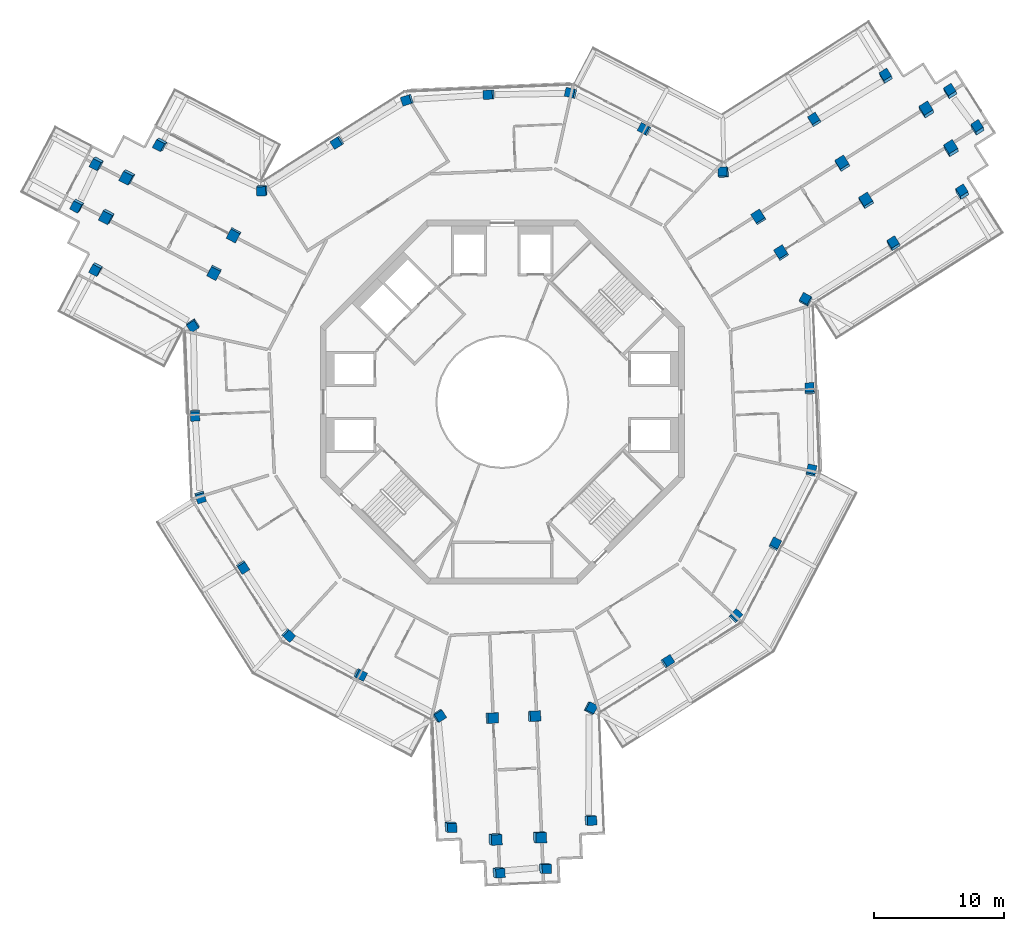
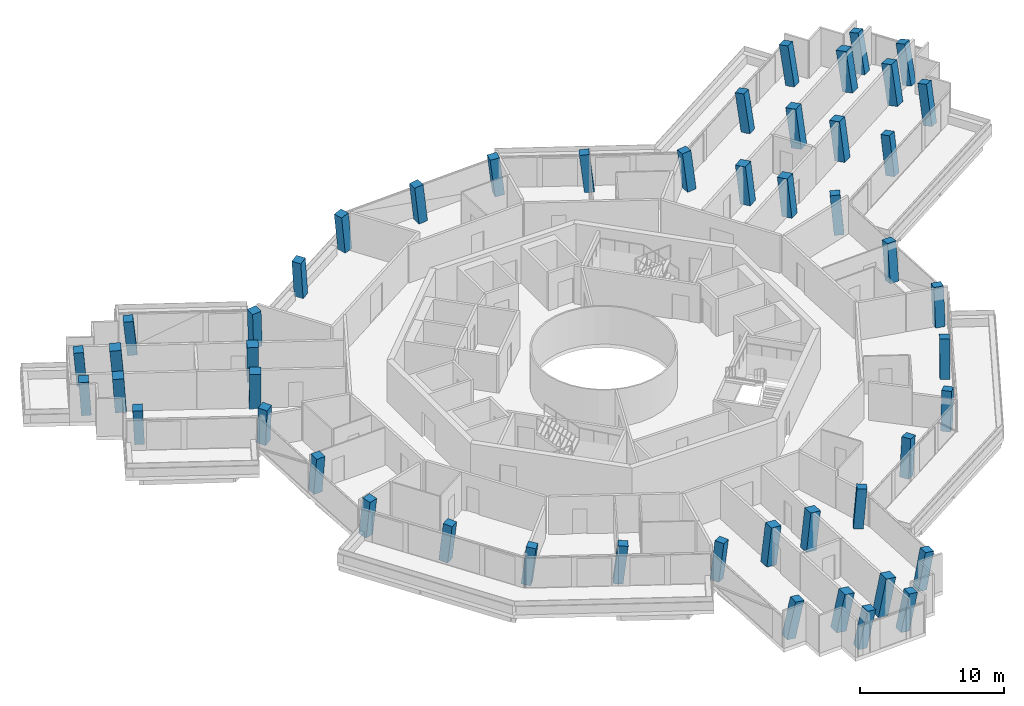
# One storey, part 1 of 23: 49 columns.
"""IFC4 building model written with IfcOpenShell, lengths in metres."""

from ifc_helpers import new_model, si_unit, direction, frame, origin, origin_2d, place, context, subcontext, project, spatial, rectangle, extrude, material, material_profile, profile_set, type_object, element, save


model = new_model("IFC4")

# Units and contexts
model_context = context("Model", 3, precision=1e-05, world=origin(), true_north=direction((0.0, 1.0)))
body_context = subcontext(model_context, "Body", "Model", "MODEL_VIEW")
ifc_project = project(units=[si_unit("LENGTHUNIT", "METRE"), si_unit("AREAUNIT", "SQUARE_METRE"), si_unit("VOLUMEUNIT", "CUBIC_METRE"), si_unit("PLANEANGLEUNIT", "RADIAN"), si_unit("MASSUNIT", "GRAM", prefix="KILO")], contexts=[model_context])

# Site, building, storey
site_placement = place(None, origin())
site = spatial("IfcSite", under=ifc_project, at=site_placement, CompositionType="ELEMENT")
building_placement = place(site_placement, origin())
building = spatial("IfcBuilding", under=site, at=building_placement, Name="Verdalira Terraces Hotel", CompositionType="ELEMENT")
storey_placement = place(building_placement, frame((0.0, 0.0, 288.0)))
storey = spatial("IfcBuildingStorey", under=building, at=storey_placement, Name="L71", CompositionType="ELEMENT", Elevation=288.0)

# Columns
ifc_material_1 = material(Name="Concrete C50", Category="concrete")
ifc_material_profile_1 = material_profile(ifc_material_1, rectangle(XDim=0.699951, YDim=0.699951, at=origin_2d()), Name="RC 700X700")
ifc_profile_set_1 = profile_set([ifc_material_profile_1], Name="Concrete C50")
column_type_1 = type_object("IfcColumnType", Name="Column RC 700X700 C50", PredefinedType="COLUMN", material=ifc_profile_set_1)
column_1_placement = place(storey_placement, frame((-26.260498, 19.833252, 0.0), z_axis=(-0.156321308, -0.092272472, 0.983386719), x_axis=(-0.875377017, 0.474081231, -0.094668183)))
element("IfcColumn", 1, at=column_1_placement, inside=storey, type_object=column_type_1, Name="Column C01", PredefinedType="COLUMN", context=body_context, shape_type="SweptSolid", body=[
    extrude(rectangle(XDim=0.699951, YDim=0.699951, at=origin_2d()), origin(), (0.0, 0.0, 1.0), 3.243896),
])
column_2_placement = place(storey_placement, frame((-31.219238, 10.261475, 0.0), z_axis=(-0.111572362, -0.115651515, 0.987003716), x_axis=(0.882019681, -0.469083783, 0.044740226)))
element("IfcColumn", 2, at=column_2_placement, inside=storey, type_object=column_type_1, Name="Column C02", PredefinedType="COLUMN", context=body_context, shape_type="SweptSolid", body=[
    extrude(rectangle(XDim=0.699951, YDim=0.699951, at=origin_2d()), origin(), (0.0, 0.0, 1.0), 3.231934),
])
column_3_placement = place(storey_placement, frame((-23.787842, 5.936279, 0.0), z_axis=(-0.027288562, -0.113334945, 0.99318202), x_axis=(-0.539731703, 0.837951325, 0.0807915)))
element("IfcColumn", 3, at=column_3_placement, inside=storey, type_object=column_type_1, Name="Column C03", PredefinedType="COLUMN", context=body_context, shape_type="SweptSolid", body=[
    extrude(rectangle(XDim=0.699951, YDim=0.699951, at=origin_2d()), origin(), (0.0, 0.0, 1.0), 3.211914),
])
column_4_placement = place(storey_placement, frame((-23.637695, -0.990723, 0.0), z_axis=(0.005703621, -0.112399349, 0.993646746), x_axis=(0.041934524, -0.992761931, -0.112539968)))
element("IfcColumn", 4, at=column_4_placement, inside=storey, type_object=column_type_1, Name="Column C04", PredefinedType="COLUMN", context=body_context, shape_type="SweptSolid", body=[
    extrude(rectangle(XDim=0.699951, YDim=0.699951, at=origin_2d()), origin(), (0.0, 0.0, 1.0), 3.210449),
])
column_5_placement = place(storey_placement, frame((-23.233887, -7.281006, 0.0), z_axis=(0.035577075, -0.110228117, 0.993269366), x_axis=(-0.297052323, 0.947810585, 0.115823193)))
element("IfcColumn", 5, at=column_5_placement, inside=storey, type_object=column_type_1, Name="Column C05", PredefinedType="COLUMN", context=body_context, shape_type="SweptSolid", body=[
    extrude(rectangle(XDim=0.699951, YDim=0.699951, at=origin_2d()), origin(), (0.0, 0.0, 1.0), 3.21167),
])
column_6_placement = place(storey_placement, frame((-19.975342, -12.676758, 0.0), z_axis=(0.061066808, -0.094528073, 0.993647467), x_axis=(0.532086167, -0.839178467, -0.112533601)))
element("IfcColumn", 6, at=column_6_placement, inside=storey, type_object=column_type_1, Name="Column C06", PredefinedType="COLUMN", context=body_context, shape_type="SweptSolid", body=[
    extrude(rectangle(XDim=0.699951, YDim=0.699951, at=origin_2d()), origin(), (0.0, 0.0, 1.0), 3.210449),
])
column_7_placement = place(storey_placement, frame((-16.480713, -17.922607, 0.0), z_axis=(0.085902454, -0.077616288, 0.993275632), x_axis=(-0.731317306, 0.672140187, 0.115769454)))
element("IfcColumn", 7, at=column_7_placement, inside=storey, type_object=column_type_1, Name="Column C07", PredefinedType="COLUMN", context=body_context, shape_type="SweptSolid", body=[
    extrude(rectangle(XDim=0.699951, YDim=0.699951, at=origin_2d()), origin(), (0.0, 0.0, 1.0), 3.211426),
])
column_8_placement = place(storey_placement, frame((-10.960693, -20.966064, 0.0), z_axis=(0.100155575, -0.051332584, 0.993646731), x_axis=(0.880391875, -0.460700416, -0.112540095)))
element("IfcColumn", 8, at=column_8_placement, inside=storey, type_object=column_type_1, Name="Column C08", PredefinedType="COLUMN", context=body_context, shape_type="SweptSolid", body=[
    extrude(rectangle(XDim=0.699951, YDim=0.699951, at=origin_2d()), origin(), (0.0, 0.0, 1.0), 3.210449),
])
column_9_placement = place(storey_placement, frame((-4.893555, -24.137939, 0.0), z_axis=(0.114924367, -0.022346405, 0.993122867), x_axis=(-0.527951696, 0.845486805, 0.080119094)))
element("IfcColumn", 9, at=column_9_placement, inside=storey, type_object=column_type_1, Name="Column C09", PredefinedType="COLUMN", context=body_context, shape_type="SweptSolid", body=[
    extrude(rectangle(XDim=0.699951, YDim=0.699951, at=origin_2d()), origin(), (0.0, 0.0, 1.0), 3.211914),
])
column_10_placement = place(storey_placement, frame((-4.045898, -32.658691, 0.0), z_axis=(0.158051479, -0.089336717, 0.983381249), x_axis=(0.026614987, -0.995151572, -0.094683636)))
element("IfcColumn", 10, at=column_10_placement, inside=storey, type_object=column_type_1, Name="Column C10", PredefinedType="COLUMN", context=body_context, shape_type="SweptSolid", body=[
    extrude(rectangle(XDim=0.699951, YDim=0.699951, at=origin_2d()), origin(), (0.0, 0.0, 1.0), 3.243896),
])
column_11_placement = place(storey_placement, frame((-0.355713, -36.167236, 0.0), z_axis=(0.174229779, -0.071706303, 0.982090724), x_axis=(0.983819795, 0.054956272, -0.170523955)))
element("IfcColumn", 11, at=column_11_placement, inside=storey, type_object=column_type_1, Name="Column C11", PredefinedType="COLUMN", context=body_context, shape_type="SweptSolid", body=[
    extrude(rectangle(XDim=0.699951, YDim=0.699951, at=origin_2d()), origin(), (0.0, 0.0, 1.0), 3.248047),
])
column_12_placement = place(storey_placement, frame((3.214355, -35.857422, 0.0), z_axis=(0.172882325, -0.055018276, 0.983404642), x_axis=(0.984056126, 0.051996939, -0.170087797)))
element("IfcColumn", 12, at=column_12_placement, inside=storey, type_object=column_type_1, Name="Column C12", PredefinedType="COLUMN", context=body_context, shape_type="SweptSolid", body=[
    extrude(rectangle(XDim=0.699951, YDim=0.699951, at=origin_2d()), origin(), (0.0, 0.0, 1.0), 3.243652),
])
column_13_placement = place(storey_placement, frame((6.7229, -32.16748, 0.0), z_axis=(0.155915246, -0.03875219, 0.987009982), x_axis=(-0.035011657, 0.998385424, 0.04472951)))
element("IfcColumn", 13, at=column_13_placement, inside=storey, type_object=column_type_1, Name="Column C13", PredefinedType="COLUMN", context=body_context, shape_type="SweptSolid", body=[
    extrude(rectangle(XDim=0.699951, YDim=0.699951, at=origin_2d()), origin(), (0.0, 0.0, 1.0), 3.231934),
])
column_14_placement = place(storey_placement, frame((6.75293, -23.569092, 0.0), z_axis=(0.111739271, 0.033065703, 0.993187291), x_axis=(-0.455479333, -0.886575625, 0.080760372)))
element("IfcColumn", 14, at=column_14_placement, inside=storey, type_object=column_type_1, Name="Column C14", PredefinedType="COLUMN", context=body_context, shape_type="SweptSolid", body=[
    extrude(rectangle(XDim=0.699951, YDim=0.699951, at=origin_2d()), origin(), (0.0, 0.0, 1.0), 3.211914),
])
column_15_placement = place(storey_placement, frame((12.676758, -19.975342, 0.0), z_axis=(0.094528073, 0.061066808, 0.993647467), x_axis=(0.839178467, 0.532086167, -0.112533601)))
element("IfcColumn", 15, at=column_15_placement, inside=storey, type_object=column_type_1, Name="Column C15", PredefinedType="COLUMN", context=body_context, shape_type="SweptSolid", body=[
    extrude(rectangle(XDim=0.699951, YDim=0.699951, at=origin_2d()), origin(), (0.0, 0.0, 1.0), 3.210449),
])
column_16_placement = place(storey_placement, frame((17.922607, -16.480713, 0.0), z_axis=(0.077616288, 0.085902454, 0.993275632), x_axis=(-0.672140187, -0.731317306, 0.115769454)))
element("IfcColumn", 16, at=column_16_placement, inside=storey, type_object=column_type_1, Name="Column C16", PredefinedType="COLUMN", context=body_context, shape_type="SweptSolid", body=[
    extrude(rectangle(XDim=0.699951, YDim=0.699951, at=origin_2d()), origin(), (0.0, 0.0, 1.0), 3.211426),
])
column_17_placement = place(storey_placement, frame((20.966064, -10.960693, 0.0), z_axis=(0.051332584, 0.100155575, 0.993646731), x_axis=(0.460700416, 0.880391875, -0.112540095)))
element("IfcColumn", 17, at=column_17_placement, inside=storey, type_object=column_type_1, Name="Column C17", PredefinedType="COLUMN", context=body_context, shape_type="SweptSolid", body=[
    extrude(rectangle(XDim=0.699951, YDim=0.699951, at=origin_2d()), origin(), (0.0, 0.0, 1.0), 3.210449),
])
column_18_placement = place(storey_placement, frame((23.761719, -5.311279, 0.0), z_axis=(0.024250371, 0.113193738, 0.993276949), x_axis=(-0.216314681, -0.969436955, 0.115758152)))
element("IfcColumn", 18, at=column_18_placement, inside=storey, type_object=column_type_1, Name="Column C18", PredefinedType="COLUMN", context=body_context, shape_type="SweptSolid", body=[
    extrude(rectangle(XDim=0.699951, YDim=0.699951, at=origin_2d()), origin(), (0.0, 0.0, 1.0), 3.211426),
])
column_19_placement = place(storey_placement, frame((23.637695, 0.990723, 0.0), z_axis=(-0.005703621, 0.112399349, 0.993646746), x_axis=(-0.041934524, 0.992761931, -0.112539968)))
element("IfcColumn", 19, at=column_19_placement, inside=storey, type_object=column_type_1, Name="Column C19", PredefinedType="COLUMN", context=body_context, shape_type="SweptSolid", body=[
    extrude(rectangle(XDim=0.699951, YDim=0.699951, at=origin_2d()), origin(), (0.0, 0.0, 1.0), 3.210449),
])
column_20_placement = place(storey_placement, frame((23.35083, 7.831055, 0.0), z_axis=(-0.038155855, 0.11074319, 0.993116346), x_axis=(-0.46801437, -0.880078073, 0.080156937)))
element("IfcColumn", 20, at=column_20_placement, inside=storey, type_object=column_type_1, Name="Column C20", PredefinedType="COLUMN", context=body_context, shape_type="SweptSolid", body=[
    extrude(rectangle(XDim=0.699951, YDim=0.699951, at=origin_2d()), origin(), (0.0, 0.0, 1.0), 3.212158),
])
column_21_placement = place(storey_placement, frame((30.099121, 12.11377, 0.0), z_axis=(-0.028312409, 0.161418483, 0.986479843), x_axis=(0.847925535, 0.526498925, -0.0618156)))
element("IfcColumn", 21, at=column_21_placement, inside=storey, type_object=column_type_1, Name="Column C21", PredefinedType="COLUMN", context=body_context, shape_type="SweptSolid", body=[
    extrude(rectangle(XDim=0.699951, YDim=0.699951, at=origin_2d()), origin(), (0.0, 0.0, 1.0), 3.233643),
])
column_22_placement = place(storey_placement, frame((35.372314, 16.040527, 0.0), z_axis=(-0.017004417, 0.204277736, 0.978765271), x_axis=(0.849661, 0.51896465, -0.093551473)))
element("IfcColumn", 22, at=column_22_placement, inside=storey, type_object=column_type_1, Name="Column C22", PredefinedType="COLUMN", context=body_context, shape_type="SweptSolid", body=[
    extrude(rectangle(XDim=0.699951, YDim=0.699951, at=origin_2d()), origin(), (0.0, 0.0, 1.0), 3.259033),
])
column_23_placement = place(storey_placement, frame((36.565674, 20.990479, 0.0), z_axis=(-0.040079581, 0.209370943, 0.977014552), x_axis=(-0.538391583, 0.819191347, -0.197636129)))
element("IfcColumn", 23, at=column_23_placement, inside=storey, type_object=column_type_1, Name="Column C23", PredefinedType="COLUMN", context=body_context, shape_type="SweptSolid", body=[
    extrude(rectangle(XDim=0.699951, YDim=0.699951, at=origin_2d()), origin(), (0.0, 0.0, 1.0), 3.264893),
])
column_24_placement = place(storey_placement, frame((34.481445, 23.789307, 0.0), z_axis=(-0.053164803, 0.19985473, 0.978382129), x_axis=(-0.535618044, 0.821195971, -0.196851436)))
element("IfcColumn", 24, at=column_24_placement, inside=storey, type_object=column_type_1, Name="Column C24", PredefinedType="COLUMN", context=body_context, shape_type="SweptSolid", body=[
    extrude(rectangle(XDim=0.699951, YDim=0.699951, at=origin_2d()), origin(), (0.0, 0.0, 1.0), 3.260498),
])
column_25_placement = place(storey_placement, frame((29.531494, 24.98291, 0.0), z_axis=(-0.05887158, 0.177291424, 0.982395993), x_axis=(-0.847800804, -0.528439333, 0.044560839)))
element("IfcColumn", 25, at=column_25_placement, inside=storey, type_object=column_type_1, Name="Column C25", PredefinedType="COLUMN", context=body_context, shape_type="SweptSolid", body=[
    extrude(rectangle(XDim=0.699951, YDim=0.699951, at=origin_2d()), origin(), (0.0, 0.0, 1.0), 3.24707),
])
column_26_placement = place(storey_placement, frame((24.044434, 21.654785, 0.0), z_axis=(-0.073304864, 0.132690125, 0.988443083), x_axis=(-0.845051848, -0.534606996, 0.009095778)))
element("IfcColumn", 26, at=column_26_placement, inside=storey, type_object=column_type_1, Name="Column C26", PredefinedType="COLUMN", context=body_context, shape_type="SweptSolid", body=[
    extrude(rectangle(XDim=0.699951, YDim=0.699951, at=origin_2d()), origin(), (0.0, 0.0, 1.0), 3.227295),
])
column_27_placement = place(storey_placement, frame((17.034912, 17.632812, 0.0), z_axis=(-0.084526714, 0.08019396, 0.993188886), x_axis=(0.995518413, 0.049217624, 0.080750948)))
element("IfcColumn", 27, at=column_27_placement, inside=storey, type_object=column_type_1, Name="Column C27", PredefinedType="COLUMN", context=body_context, shape_type="SweptSolid", body=[
    extrude(rectangle(XDim=0.699951, YDim=0.699951, at=origin_2d()), origin(), (0.0, 0.0, 1.0), 3.211914),
])
column_28_placement = place(storey_placement, frame((10.960693, 20.966064, 0.0), z_axis=(-0.100155575, 0.051332584, 0.993646731), x_axis=(-0.880391875, 0.460700416, -0.112540095)))
element("IfcColumn", 28, at=column_28_placement, inside=storey, type_object=column_type_1, Name="Column C28", PredefinedType="COLUMN", context=body_context, shape_type="SweptSolid", body=[
    extrude(rectangle(XDim=0.699951, YDim=0.699951, at=origin_2d()), origin(), (0.0, 0.0, 1.0), 3.210449),
])
column_29_placement = place(storey_placement, frame((5.311279, 23.761719, 0.0), z_axis=(-0.113193738, 0.024250371, 0.993276949), x_axis=(0.969436955, -0.216314681, 0.115758152)))
element("IfcColumn", 29, at=column_29_placement, inside=storey, type_object=column_type_1, Name="Column C29", PredefinedType="COLUMN", context=body_context, shape_type="SweptSolid", body=[
    extrude(rectangle(XDim=0.699951, YDim=0.699951, at=origin_2d()), origin(), (0.0, 0.0, 1.0), 3.211426),
])
column_30_placement = place(storey_placement, frame((-0.990723, 23.637695, 0.0), z_axis=(-0.112399349, -0.005703621, 0.993646746), x_axis=(-0.992761931, -0.041934524, -0.112539968)))
element("IfcColumn", 30, at=column_30_placement, inside=storey, type_object=column_type_1, Name="Column C30", PredefinedType="COLUMN", context=body_context, shape_type="SweptSolid", body=[
    extrude(rectangle(XDim=0.699951, YDim=0.699951, at=origin_2d()), origin(), (0.0, 0.0, 1.0), 3.210449),
])
column_31_placement = place(storey_placement, frame((-7.281006, 23.233887, 0.0), z_axis=(-0.110228117, -0.035577075, 0.993269366), x_axis=(0.947810585, 0.297052323, 0.115823193)))
element("IfcColumn", 31, at=column_31_placement, inside=storey, type_object=column_type_1, Name="Column C31", PredefinedType="COLUMN", context=body_context, shape_type="SweptSolid", body=[
    extrude(rectangle(XDim=0.699951, YDim=0.699951, at=origin_2d()), origin(), (0.0, 0.0, 1.0), 3.21167),
])
column_32_placement = place(storey_placement, frame((-12.676758, 19.975342, 0.0), z_axis=(-0.094528073, -0.061066808, 0.993647467), x_axis=(-0.839178467, -0.532086167, -0.112533601)))
element("IfcColumn", 32, at=column_32_placement, inside=storey, type_object=column_type_1, Name="Column C32", PredefinedType="COLUMN", context=body_context, shape_type="SweptSolid", body=[
    extrude(rectangle(XDim=0.699951, YDim=0.699951, at=origin_2d()), origin(), (0.0, 0.0, 1.0), 3.210449),
])
column_33_placement = place(storey_placement, frame((-18.45752, 16.306885, 0.0), z_axis=(-0.076768241, -0.088397489, 0.993122611), x_axis=(0.996169946, 0.03501617, 0.080120576)))
element("IfcColumn", 33, at=column_33_placement, inside=storey, type_object=column_type_1, Name="Column C33", PredefinedType="COLUMN", context=body_context, shape_type="SweptSolid", body=[
    extrude(rectangle(XDim=0.699951, YDim=0.699951, at=origin_2d()), origin(), (0.0, 0.0, 1.0), 3.211914),
])
column_34_placement = place(storey_placement, frame((-31.143799, 18.391846, 0.0), z_axis=(-0.149273311, -0.11507424, 0.982077083), x_axis=(-0.444326786, -0.879473331, -0.170588295)))
element("IfcColumn", 34, at=column_34_placement, inside=storey, type_object=column_type_1, Name="Column C34", PredefinedType="COLUMN", context=body_context, shape_type="SweptSolid", body=[
    extrude(rectangle(XDim=0.699951, YDim=0.699951, at=origin_2d()), origin(), (0.0, 0.0, 1.0), 3.248047),
])
column_35_placement = place(storey_placement, frame((-32.660645, 15.14502, 0.0), z_axis=(-0.134120275, -0.122228578, 0.983398153), x_axis=(-0.447035219, -0.878190432, -0.170120773)))
element("IfcColumn", 35, at=column_35_placement, inside=storey, type_object=column_type_1, Name="Column C35", PredefinedType="COLUMN", context=body_context, shape_type="SweptSolid", body=[
    extrude(rectangle(XDim=0.699951, YDim=0.699951, at=origin_2d()), origin(), (0.0, 0.0, 1.0), 3.243896),
])
ifc_material_2 = material(Name="Concrete C50", Category="concrete")
ifc_material_profile_2 = material_profile(ifc_material_2, rectangle(XDim=0.800049, YDim=0.800049, at=origin_2d()), Name="RC 800X800")
ifc_profile_set_2 = profile_set([ifc_material_profile_2], Name="Concrete C50")
column_type_2 = type_object("IfcColumnType", Name="Column RC 800X800 C50", PredefinedType="COLUMN", material=ifc_profile_set_2)
for number, where, z_axis, x_axis, name in (
    (36, (-20.637695, 12.884033, 0.0), (-0.060436236, -0.098674508, 0.993282841), (-0.885832785, 0.463938877, -0.007809919), "Column C36"),
    (37, (-22.146484, 9.998047, 0.0), (-0.046677582, -0.105670749, 0.993305037), (-0.886461524, 0.462740367, 0.007570927), "Column C37"),
):
    element("IfcColumn", number, at=place(storey_placement, frame(where, z_axis=z_axis, x_axis=x_axis)), inside=storey, type_object=column_type_2, Name=name, PredefinedType="COLUMN", context=body_context, shape_type="SweptSolid", body=[
        extrude(rectangle(XDim=0.800049, YDim=0.800049, at=origin_2d()), origin(), (0.0, 0.0, 1.0), 3.211426),
    ])
column_36_placement = place(storey_placement, frame((-28.793945, 17.3396, 0.0), z_axis=(-0.144668017, -0.104151935, 0.983983506), x_axis=(-0.877417171, 0.473193051, -0.078914159)))
element("IfcColumn", 38, at=column_36_placement, inside=storey, type_object=column_type_2, Name="Column C38", PredefinedType="COLUMN", context=body_context, shape_type="SweptSolid", body=[
    extrude(rectangle(XDim=0.800049, YDim=0.800049, at=origin_2d()), origin(), (0.0, 0.0, 1.0), 3.241943),
])
column_37_placement = place(storey_placement, frame((-30.381348, 14.303223, 0.0), z_axis=(-0.130438265, -0.111664203, 0.985148194), x_axis=(-0.87971394, 0.471303706, -0.06305712)))
element("IfcColumn", 39, at=column_37_placement, inside=storey, type_object=column_type_2, Name="Column C39", PredefinedType="COLUMN", context=body_context, shape_type="SweptSolid", body=[
    extrude(rectangle(XDim=0.800049, YDim=0.800049, at=origin_2d()), origin(), (0.0, 0.0, 1.0), 3.238037),
])
for number, where, z_axis, x_axis, name in (
    (40, (-0.839111, -24.314697, 0.0), (0.115702664, -0.003040806, 0.993279239), (0.040805653, -0.999136563, -0.007812006), "Column C40"),
    (41, (2.414551, -24.178467, 0.0), (0.11486912, 0.012467595, 0.993302393), (0.042953499, -0.999048375, 0.007572417), "Column C41"),
):
    element("IfcColumn", number, at=place(storey_placement, frame(where, z_axis=z_axis, x_axis=x_axis)), inside=storey, type_object=column_type_2, Name=name, PredefinedType="COLUMN", context=body_context, shape_type="SweptSolid", body=[
        extrude(rectangle(XDim=0.800049, YDim=0.800049, at=origin_2d()), origin(), (0.0, 0.0, 1.0), 3.211426),
    ])
column_38_placement = place(storey_placement, frame((-0.619629, -33.606201, 0.0), z_axis=(0.162516724, -0.073200304, 0.983986804), x_axis=(0.028927607, -0.996462253, -0.078906099)))
element("IfcColumn", 42, at=column_38_placement, inside=storey, type_object=column_type_2, Name="Column C42", PredefinedType="COLUMN", context=body_context, shape_type="SweptSolid", body=[
    extrude(rectangle(XDim=0.800049, YDim=0.800049, at=origin_2d()), origin(), (0.0, 0.0, 1.0), 3.241943),
])
column_39_placement = place(storey_placement, frame((2.803711, -33.462646, 0.0), z_axis=(0.161880126, -0.057151903, 0.985154041), x_axis=(0.03149889, -0.997513495, -0.063044799)))
element("IfcColumn", 43, at=column_39_placement, inside=storey, type_object=column_type_2, Name="Column C43", PredefinedType="COLUMN", context=body_context, shape_type="SweptSolid", body=[
    extrude(rectangle(XDim=0.800049, YDim=0.800049, at=origin_2d()), origin(), (0.0, 0.0, 1.0), 3.238037),
])
for number, where, z_axis, x_axis, name in (
    (44, (21.476807, 11.430908, 0.0), (-0.055266964, 0.10163952, 0.993284939), (0.844493525, 0.535508834, -0.007808703), "Column C44"),
    (45, (19.731689, 14.18042, 0.0), (-0.068192121, 0.093203501, 0.993309087), (0.843757622, 0.536671026, 0.007568645), "Column C45"),
):
    element("IfcColumn", number, at=place(storey_placement, frame(where, z_axis=z_axis, x_axis=x_axis)), inside=storey, type_object=column_type_2, Name=name, PredefinedType="COLUMN", context=body_context, shape_type="SweptSolid", body=[
        extrude(rectangle(XDim=0.800049, YDim=0.800049, at=origin_2d()), origin(), (0.0, 0.0, 1.0), 3.211426),
    ])
column_40_placement = place(storey_placement, frame((28.005127, 15.413818, 0.0), z_axis=(-0.043909695, 0.151530013, 0.987476883), x_axis=(0.847064747, 0.529696974, -0.043616854)))
element("IfcColumn", 46, at=column_40_placement, inside=storey, type_object=column_type_2, Name="Column C46", PredefinedType="COLUMN", context=body_context, shape_type="SweptSolid", body=[
    extrude(rectangle(XDim=0.800049, YDim=0.800049, at=origin_2d()), origin(), (0.0, 0.0, 1.0), 3.230469),
])
column_41_placement = place(storey_placement, frame((26.187744, 18.277344, 0.0), z_axis=(-0.05739657, 0.142924264, 0.988067957), x_axis=(0.846294763, 0.531989486, -0.027791398)))
element("IfcColumn", 47, at=column_41_placement, inside=storey, type_object=column_type_2, Name="Column C47", PredefinedType="COLUMN", context=body_context, shape_type="SweptSolid", body=[
    extrude(rectangle(XDim=0.800049, YDim=0.800049, at=origin_2d()), origin(), (0.0, 0.0, 1.0), 3.228516),
])
column_42_placement = place(storey_placement, frame((34.533447, 19.396484, 0.0), z_axis=(-0.032674008, 0.200390593, 0.979171088), x_axis=(0.849620621, 0.521537024, -0.07838324)))
element("IfcColumn", 48, at=column_42_placement, inside=storey, type_object=column_type_2, Name="Column C48", PredefinedType="COLUMN", context=body_context, shape_type="SweptSolid", body=[
    extrude(rectangle(XDim=0.800049, YDim=0.800049, at=origin_2d()), origin(), (0.0, 0.0, 1.0), 3.257812),
])
column_43_placement = place(storey_placement, frame((32.643555, 22.374512, 0.0), z_axis=(-0.046595182, 0.191557971, 0.980374639), x_axis=(0.848960494, 0.524784269, -0.062189635)))
element("IfcColumn", 49, at=column_43_placement, inside=storey, type_object=column_type_2, Name="Column C49", PredefinedType="COLUMN", context=body_context, shape_type="SweptSolid", body=[
    extrude(rectangle(XDim=0.800049, YDim=0.800049, at=origin_2d()), origin(), (0.0, 0.0, 1.0), 3.253906),
])

save(model, "model.ifc")
